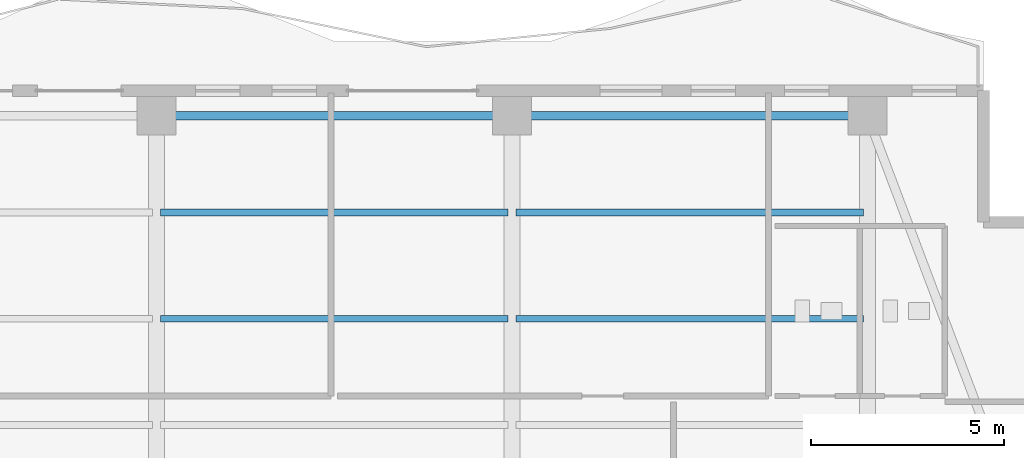
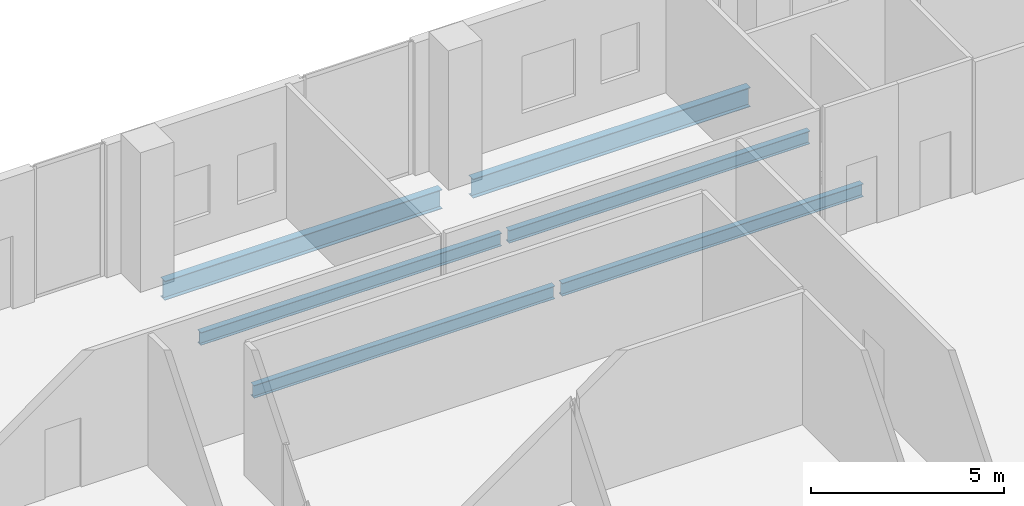
# One storey, part 13 of 23: 6 beams.
"""IFC4 building model written with IfcOpenShell, lengths in metres."""

from ifc_helpers import new_model, si_unit, direction, frame, origin, origin_2d, place, context, subcontext, project, spatial, i_section, extrude, material, material_profile, profile_set, type_object, element, save


model = new_model("IFC4")

# Units and contexts
model_context = context("Model", 3, precision=1e-05, world=origin(), true_north=direction((0.0, 1.0)))
body_context = subcontext(model_context, "Body", "Model", "MODEL_VIEW")
ifc_project = project(units=[si_unit("LENGTHUNIT", "METRE"), si_unit("AREAUNIT", "SQUARE_METRE"), si_unit("VOLUMEUNIT", "CUBIC_METRE"), si_unit("PLANEANGLEUNIT", "RADIAN"), si_unit("MASSUNIT", "GRAM", prefix="KILO")], contexts=[model_context])

# Site, building, storey
site_placement = place(None, origin())
site = spatial("IfcSite", under=ifc_project, at=site_placement, CompositionType="ELEMENT")
building_placement = place(site_placement, origin())
building = spatial("IfcBuilding", under=site, at=building_placement, Name="Zuhayl Quay Hotel", CompositionType="ELEMENT")
storey_placement = place(building_placement, frame((0.0, 0.0, 288.449951171875)))
storey = spatial("IfcBuildingStorey", under=building, at=storey_placement, Name="L73", CompositionType="ELEMENT", Elevation=288.449951171875)

# Beams
ifc_material = material(Name="Steel ASTM A992 Grade 50", Category="steel")
ifc_material_profile_1 = material_profile(ifc_material, i_section(OverallWidth=0.22802734375, OverallDepth=0.60693359375, WebThickness=0.01123046875, FlangeThickness=0.017333984375, at=origin_2d()), Name="W24X76")
ifc_profile_set_1 = profile_set([ifc_material_profile_1], Name="Steel ASTM A992 Grade 50")
beam_type_1 = type_object("IfcBeamType", Name="BM_B3_W24X76", PredefinedType="BEAM", material=ifc_profile_set_1)
beam_1_placement = place(storey_placement, frame((13.340087890625, 38.35009765625, -0.5234375), z_axis=(-1.0, 0.0, 0.0), x_axis=(0.0, -1.0, 0.0)))
element("IfcBeam", 1, at=beam_1_placement, inside=storey, type_object=beam_type_1, Name="L73 Floor Beam RG_L73_07", PredefinedType="BEAM", context=body_context, shape_type="SweptSolid", body=[
    extrude(i_section(OverallWidth=0.22802734375, OverallDepth=0.60693359375, WebThickness=0.01123046875, FlangeThickness=0.017333984375, at=origin_2d()), origin(), (0.0, 0.0, 1.0), 8.280029296875),
])
beam_2_placement = place(storey_placement, frame((4.139892578125, 38.35009765625, -0.5234375), z_axis=(-1.0, 0.0, 0.0), x_axis=(0.0, -1.0, 0.0)))
element("IfcBeam", 2, at=beam_2_placement, inside=storey, type_object=beam_type_1, Name="L73 Floor Beam RG_L73_08", PredefinedType="BEAM", context=body_context, shape_type="SweptSolid", body=[
    extrude(i_section(OverallWidth=0.22802734375, OverallDepth=0.60693359375, WebThickness=0.01123046875, FlangeThickness=0.017333984375, at=origin_2d()), origin(), (0.0, 0.0, 1.0), 8.27978515625),
])
ifc_material_profile_2 = material_profile(ifc_material, i_section(OverallWidth=0.177978515625, OverallDepth=0.404052734375, WebThickness=0.007568359375, FlangeThickness=0.010986328125, at=origin_2d()), Name="W16X36")
ifc_profile_set_2 = profile_set([ifc_material_profile_2], Name="Steel ASTM A992 Grade 50")
beam_type_2 = type_object("IfcBeamType", Name="BM_J3_W16X36", PredefinedType="JOIST", material=ifc_profile_set_2)
beam_3_placement = place(storey_placement, frame((-4.493896484375, 33.10009765625, -0.421875), z_axis=(1.0, 0.0, 0.0), x_axis=(0.0, 1.0, 0.0)))
element("IfcBeam", 3, at=beam_3_placement, inside=storey, type_object=beam_type_2, Name="L73 Floor Beam FJ_L73_7_2", PredefinedType="JOIST", context=body_context, shape_type="SweptSolid", body=[
    extrude(i_section(OverallWidth=0.177978515625, OverallDepth=0.404052734375, WebThickness=0.007568359375, FlangeThickness=0.010986328125, at=origin_2d()), origin(), (0.0, 0.0, 1.0), 8.98779296875),
])
beam_4_placement = place(storey_placement, frame((4.7060546875, 33.10009765625, -0.421875), z_axis=(1.0, 0.0, 0.0), x_axis=(0.0, 1.0, 0.0)))
element("IfcBeam", 4, at=beam_4_placement, inside=storey, type_object=beam_type_2, Name="L73 Floor Beam FJ_L73_7_3", PredefinedType="JOIST", context=body_context, shape_type="SweptSolid", body=[
    extrude(i_section(OverallWidth=0.177978515625, OverallDepth=0.404052734375, WebThickness=0.007568359375, FlangeThickness=0.010986328125, at=origin_2d()), origin(), (0.0, 0.0, 1.0), 8.988037109375),
])
beam_5_placement = place(storey_placement, frame((-4.493896484375, 35.85009765625, -0.421875), z_axis=(1.0, 0.0, 0.0), x_axis=(0.0, 1.0, 0.0)))
element("IfcBeam", 5, at=beam_5_placement, inside=storey, type_object=beam_type_2, Name="L73 Floor Beam FJ_L73_8_2", PredefinedType="JOIST", context=body_context, shape_type="SweptSolid", body=[
    extrude(i_section(OverallWidth=0.177978515625, OverallDepth=0.404052734375, WebThickness=0.007568359375, FlangeThickness=0.010986328125, at=origin_2d()), origin(), (0.0, 0.0, 1.0), 8.98779296875),
])
beam_6_placement = place(storey_placement, frame((4.7060546875, 35.85009765625, -0.421875), z_axis=(1.0, 0.0, 0.0), x_axis=(0.0, 1.0, 0.0)))
element("IfcBeam", 6, at=beam_6_placement, inside=storey, type_object=beam_type_2, Name="L73 Floor Beam FJ_L73_8_3", PredefinedType="JOIST", context=body_context, shape_type="SweptSolid", body=[
    extrude(i_section(OverallWidth=0.177978515625, OverallDepth=0.404052734375, WebThickness=0.007568359375, FlangeThickness=0.010986328125, at=origin_2d()), origin(), (0.0, 0.0, 1.0), 8.988037109375),
])

save(model, "model.ifc")
